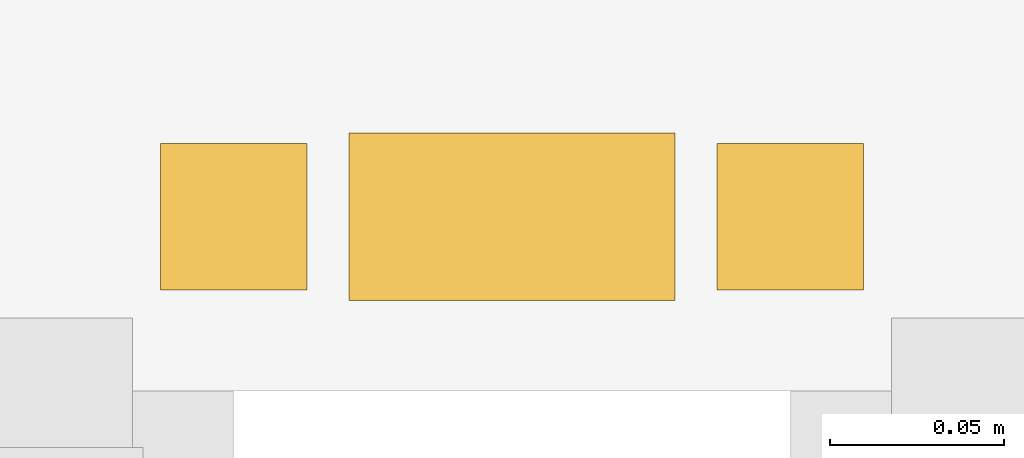
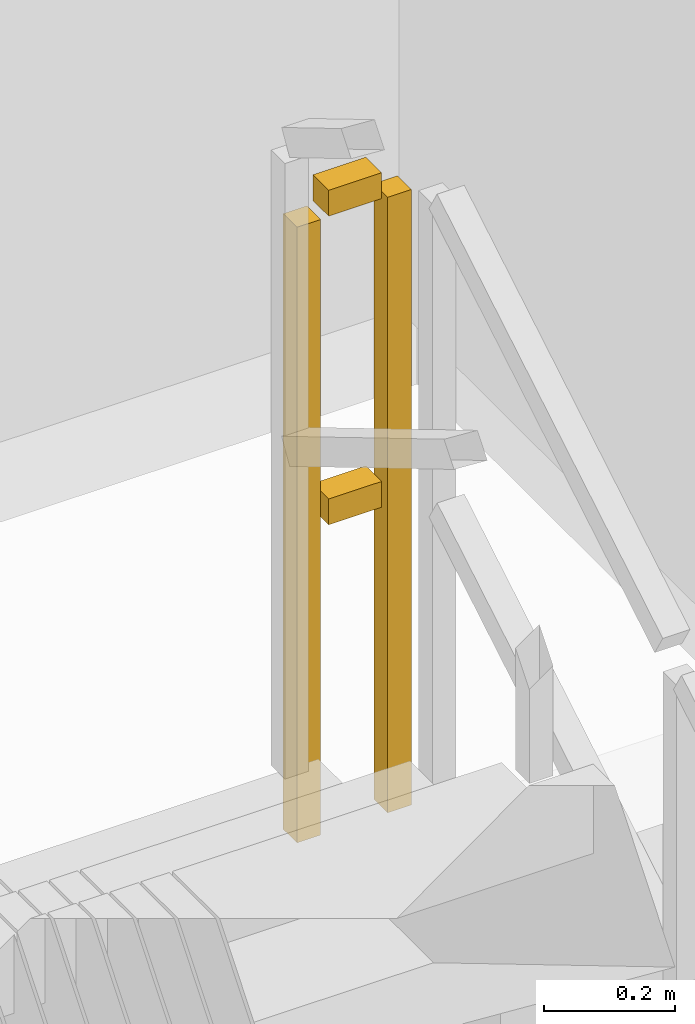
# One storey, part 11 of 11: 1 railing.
"""IFC4 building model written with IfcOpenShell, lengths in metres."""

from ifc_helpers import new_model, si_unit, direction, frame, origin, origin_2d, place, context, subcontext, project, spatial, rectangle, extrude, material, type_object, element, save


model = new_model("IFC4")

# Units and contexts
model_context = context("Model", 3, precision=1e-05, world=origin(), true_north=direction((0.0, 1.0)))
body_context = subcontext(model_context, "Body", "Model", "MODEL_VIEW")
ifc_project = project(units=[si_unit("LENGTHUNIT", "METRE"), si_unit("AREAUNIT", "SQUARE_METRE"), si_unit("VOLUMEUNIT", "CUBIC_METRE"), si_unit("PLANEANGLEUNIT", "RADIAN"), si_unit("MASSUNIT", "GRAM", prefix="KILO")], contexts=[model_context])

# Site, building, storey
site_placement = place(None, origin())
site = spatial("IfcSite", under=ifc_project, at=site_placement, CompositionType="ELEMENT")
building_placement = place(site_placement, origin())
building = spatial("IfcBuilding", under=site, at=building_placement, Name="Saelheon Loggia Tower", CompositionType="ELEMENT")
storey_placement = place(building_placement, frame((0.0, 0.0, 138.75)))
storey = spatial("IfcBuildingStorey", under=building, at=storey_placement, Name="L44", CompositionType="ELEMENT", Elevation=138.75)

# Railing
ifc_material = material(Name="Galvanised Steel S275 Stairwell Guardrail", Category="steel")
railing_type = type_object("IfcRailingType", Name="Guard_StairWell_RL_STG", PredefinedType="GUARDRAIL", material=ifc_material)
railing_placement = place(storey_placement, frame((42.489990234375, 32.739990234375, 1.5)))
element("IfcRailing", 1, at=railing_placement, inside=storey, type_object=railing_type, Name="L44 ST2 stair guard 2", PredefinedType="GUARDRAIL", context=body_context, shape_type="SweptSolid", body=[
    extrude(rectangle(XDim=0.048095703125, YDim=0.048095703125, at=origin_2d()), frame((-0.033203125, 0.0, 1.17578125), z_axis=(-1.0, 0.0, 0.0), x_axis=(0.0, -1.0, 0.0)), (0.0, 0.0, 1.0), 0.093505859375),
    extrude(rectangle(XDim=0.048095703125, YDim=0.048095703125, at=origin_2d()), frame((-0.033203125, 0.0, 0.60009765625), z_axis=(-1.0, 0.0, 0.0), x_axis=(0.0, -1.0, 0.0)), (0.0, 0.0, 1.0), 0.093505859375),
    extrude(rectangle(XDim=0.0419921875, YDim=0.0419921875, at=origin_2d()), origin(), (0.0, 0.0, 1.0), 1.14794921875),
    extrude(rectangle(XDim=0.0419921875, YDim=0.0419921875, at=origin_2d()), frame((-0.159912109375, 0.0, 0.0)), (0.0, 0.0, 1.0), 1.14794921875),
])

save(model, "model.ifc")
